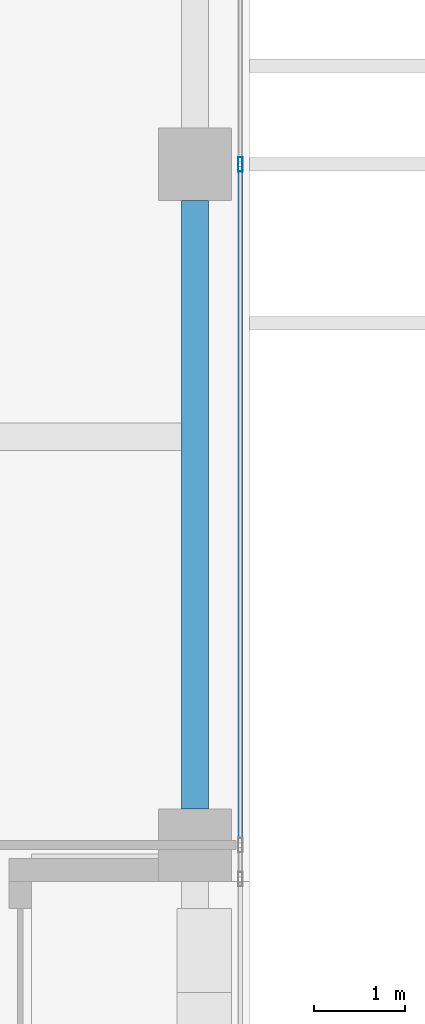
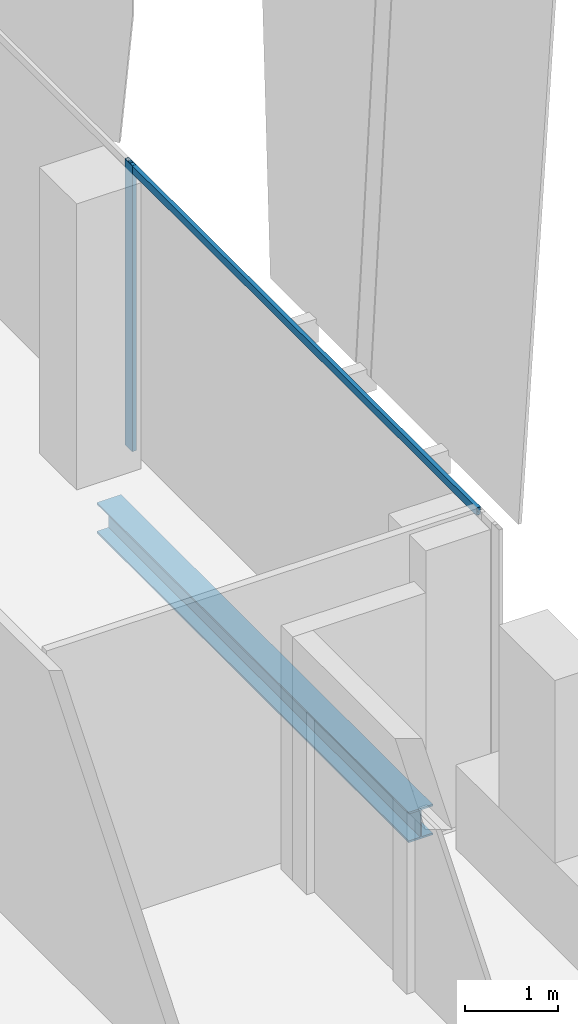
# One storey, part 12 of 32: 2 members, 1 beam, 1 element without a shape of its own.
"""IFC4 building model written with IfcOpenShell, lengths in metres."""

from ifc_helpers import new_model, si_unit, direction, frame, origin, origin_2d, place, context, subcontext, project, spatial, hollow_rectangle, i_section, extrude, source, transform, mapped, material, material_profile, profile_set, type_object, element, aggregate, save


model = new_model("IFC4")

# Units and contexts
model_context = context("Model", 3, precision=1e-05, world=origin(), true_north=direction((0.0, 1.0)))
body_context = subcontext(model_context, "Body", "Model", "MODEL_VIEW")
ifc_project = project(units=[si_unit("LENGTHUNIT", "METRE"), si_unit("AREAUNIT", "SQUARE_METRE"), si_unit("VOLUMEUNIT", "CUBIC_METRE"), si_unit("PLANEANGLEUNIT", "RADIAN"), si_unit("MASSUNIT", "GRAM", prefix="KILO")], contexts=[model_context])

# Site, building, storey
site_placement = place(None, origin())
site = spatial("IfcSite", under=ifc_project, at=site_placement, CompositionType="ELEMENT")
building_placement = place(site_placement, origin())
building = spatial("IfcBuilding", under=site, at=building_placement, Name="Khomas Fold Tower", CompositionType="ELEMENT")
storey_placement = place(building_placement, frame((0.0, 0.0, 318.199951171875)))
storey = spatial("IfcBuildingStorey", under=building, at=storey_placement, Name="L72", CompositionType="ELEMENT", Elevation=318.199951171875)

# Beam
ifc_material_1 = material(Name="Steel S355", Category="steel")
ifc_material_profile_1 = material_profile(ifc_material_1, i_section(OverallWidth=0.300048828125, OverallDepth=0.39990234375, WebThickness=0.013427734375, FlangeThickness=0.02392578125, at=origin_2d()), Name="HE 400 B")
ifc_profile_set_1 = profile_set([ifc_material_profile_1], Name="Steel S355")
beam_type = type_object("IfcBeamType", Name="HE 400 B spandrel SB5", PredefinedType="SPANDREL", material=ifc_profile_set_1)
shared_shape_1 = source(origin(), body_context, "Body", "SweptSolid", [
    extrude(i_section(OverallWidth=0.300048828125, OverallDepth=0.39990234375, WebThickness=0.013427734375, FlangeThickness=0.02392578125, at=origin_2d()), origin(), (0.0, 0.0, 1.0), 6.7001953125),
])
beam_placement = place(storey_placement, frame((47.39990234375, 27.39990234375, -0.449951171875), z_axis=(0.0, 1.0, 0.0), x_axis=(-1.0, 0.0, 0.0)))
element("IfcBeam", 1, at=beam_placement, inside=storey, type_object=beam_type, Name="SB5", PredefinedType="SPANDREL", context=body_context, shape_type="MappedRepresentation", body=[
    mapped(shared_shape_1, transform((0.0, 0.0, 0.0))),
])

# Curtain wall, members
ifc_material_2 = material(Name="Aluminium framed double glazing", Category="aluminium")
curtain_wall_type = type_object("IfcCurtainWallType", Name="SK-Unitised clear-glass wall, upper floors CW3", PredefinedType="NOTDEFINED", material=ifc_material_2)
curtain_wall_placement = place(storey_placement, origin())
curtain_wall = element("IfcCurtainWall", 2, at=curtain_wall_placement, inside=storey, type_object=curtain_wall_type, Name="CW3 run L72 03-1", PredefinedType="NOTDEFINED")
ifc_material_3 = material(Name="Aluminium", Category="aluminium")
ifc_material_profile_2 = material_profile(ifc_material_3, hollow_rectangle(XDim=0.050048828125, YDim=0.159912109375, WallThickness=0.00390625, at=origin_2d()), Name="SK-Unitised clear-glass wall, upper floors mullion CW3-M")
ifc_profile_set_2 = profile_set([ifc_material_profile_2], Name="Aluminium")
member_type_1 = type_object("IfcMemberType", Name="SK-Unitised clear-glass wall, upper floors mullion CW3-M", PredefinedType="MULLION", material=ifc_profile_set_2)
shared_shape_2 = source(origin(), body_context, "Body", "SweptSolid", [
    extrude(hollow_rectangle(XDim=0.050048828125, YDim=0.159912109375, WallThickness=0.00390625, at=origin_2d()), origin(), (0.0, 0.0, 1.0), 3.75),
])
member_1_placement = place(storey_placement, frame((47.89990234375, 34.5, 0.0), z_axis=(0.0, 0.0, 1.0), x_axis=(-1.0, 0.0, 0.0)))
member_1 = element("IfcMember", 3, at=member_1_placement, type_object=member_type_1, Name="CW3 mullion 3", PredefinedType="MULLION", context=body_context, shape_type="MappedRepresentation", body=[
    mapped(shared_shape_2, transform((0.0, 0.0, 0.0))),
])
ifc_material_4 = material(Name="Aluminium", Category="aluminium")
ifc_material_profile_3 = material_profile(ifc_material_4, hollow_rectangle(XDim=0.050048828125, YDim=0.10009765625, WallThickness=0.00390625, at=origin_2d()), Name="SK-Unitised clear-glass wall, upper floors transom CW3-T")
ifc_profile_set_3 = profile_set([ifc_material_profile_3], Name="Aluminium")
member_type_2 = type_object("IfcMemberType", Name="SK-Unitised clear-glass wall, upper floors transom CW3-T", PredefinedType="USERDEFINED", material=ifc_profile_set_3)
shared_shape_3 = source(origin(), body_context, "Body", "SweptSolid", [
    extrude(hollow_rectangle(XDim=0.050048828125, YDim=0.10009765625, WallThickness=0.00390625, at=origin_2d()), origin(), (0.0, 0.0, 1.0), 7.4501953125),
])
member_2_placement = place(storey_placement, frame((47.89990234375, 27.02490234375, 3.699951171875), z_axis=(0.0, 1.0, 0.0), x_axis=(-1.0, 0.0, 0.0)))
member_2 = element("IfcMember", 4, at=member_2_placement, type_object=member_type_2, Name="CW3 transom 2", ObjectType="TRANSOM", PredefinedType="USERDEFINED", context=body_context, shape_type="MappedRepresentation", body=[
    mapped(shared_shape_3, transform((0.0, 0.0, 0.0))),
])
aggregate(curtain_wall, [member_1, member_2])

save(model, "model.ifc")
